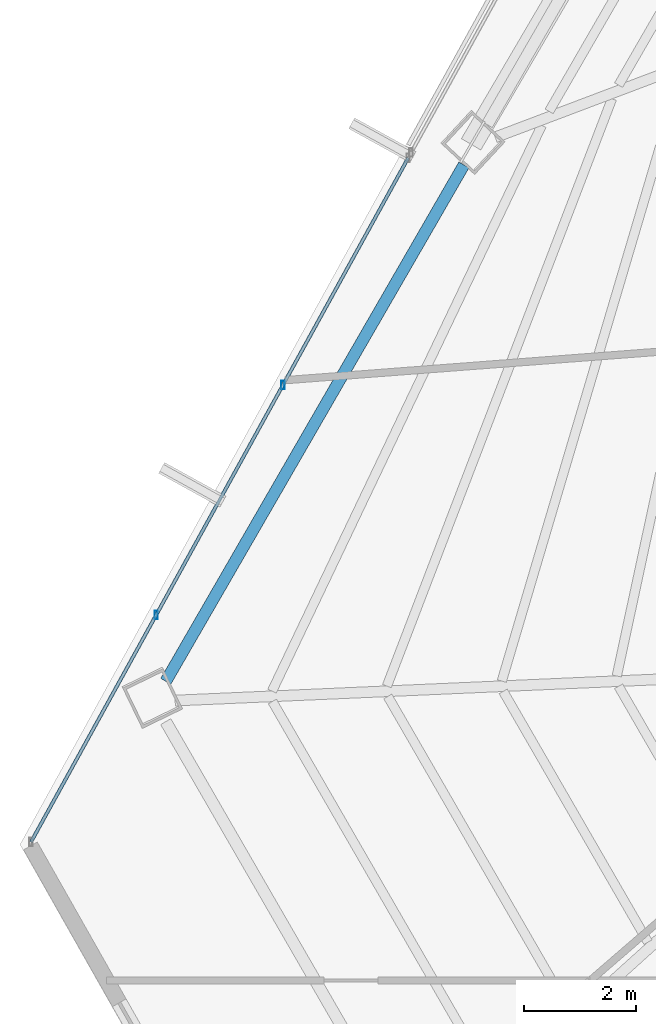
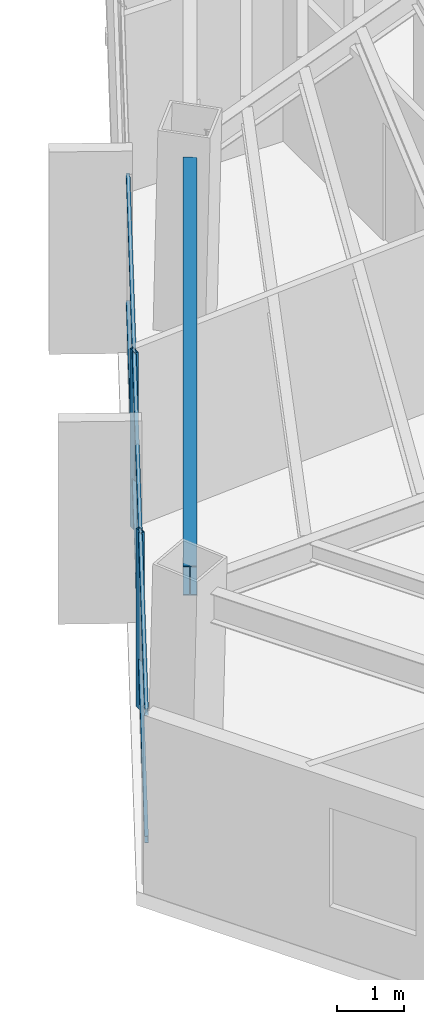
# One storey, part 7 of 40: 4 members, 1 beam, 1 element without a shape of its own.
"""IFC4 building model written with IfcOpenShell, lengths in metres."""

from ifc_helpers import new_model, si_unit, direction, frame, origin, origin_2d, place, context, subcontext, project, spatial, hollow_rectangle, i_section, extrude, source, transform, mapped, material, material_profile, profile_set, type_object, type_shapes, element, aggregate, save


model = new_model("IFC4")

# Units and contexts
model_context = context("Model", 3, precision=1e-05, world=origin(), true_north=direction((0.0, 1.0)))
body_context = subcontext(model_context, "Body", "Model", "MODEL_VIEW")
ifc_project = project(units=[si_unit("LENGTHUNIT", "METRE"), si_unit("AREAUNIT", "SQUARE_METRE"), si_unit("VOLUMEUNIT", "CUBIC_METRE"), si_unit("PLANEANGLEUNIT", "RADIAN"), si_unit("MASSUNIT", "GRAM", prefix="KILO")], contexts=[model_context])

# Site, building, storey
site_placement = place(None, origin())
site = spatial("IfcSite", under=ifc_project, at=site_placement, CompositionType="ELEMENT")
building_placement = place(site_placement, origin())
building = spatial("IfcBuilding", under=site, at=building_placement, Name="Caelisora Broadcast Tower", CompositionType="ELEMENT")
storey_placement = place(building_placement, frame((0.0, 0.0, 216.89990234375)))
storey = spatial("IfcBuildingStorey", under=building, at=storey_placement, Name="L57", CompositionType="ELEMENT", Elevation=216.89990234375)

# Beam
ifc_material_1 = material(Name="Steel Grade 350 (AS/NZS 3679.1)", Category="steel")
ifc_material_profile_1 = material_profile(ifc_material_1, i_section(OverallWidth=0.208984375, OverallDepth=0.532958984375, WebThickness=0.01025390625, FlangeThickness=0.015625, at=origin_2d()), Name="Steel Grade 350 (AS/NZS 3679.1)")
ifc_profile_set_1 = profile_set([ifc_material_profile_1], Name="Steel Grade 350 (AS/NZS 3679.1)")
beam_type = type_object("IfcBeamType", Name="PG05", PredefinedType="BEAM", material=ifc_profile_set_1)
shared_shape_1 = source(origin(), body_context, "Body", "SweptSolid", [
    extrude(i_section(OverallWidth=0.208984375, OverallDepth=0.532958984375, WebThickness=0.01025390625, FlangeThickness=0.015625, at=origin_2d()), origin(), (0.0, 0.0, 1.0), 10.655029296875),
])
type_shapes(beam_type, [shared_shape_1])
beam_placement = place(storey_placement, frame((21.602294921875, 26.3544921875, 2.983642578125), z_axis=(-0.500008063514, -0.866020748262, 0.0), x_axis=(0.866020748262, -0.500008063514, 0.0)))
element("IfcBeam", 1, at=beam_placement, inside=storey, type_object=beam_type, Name="L57 beam PG05", PredefinedType="BEAM", context=body_context, shape_type="MappedRepresentation", body=[
    mapped(shared_shape_1, transform((0.0, 0.0, 0.0), scale=1.0)),
])

# Curtain wall, members
ifc_material_2 = material(Name="Unitised Aluminium and Low-E Glass Curtain Wall", Category="glass")
curtain_wall_type = type_object("IfcCurtainWallType", Name="CW-Z4", PredefinedType="NOTDEFINED", material=ifc_material_2)
curtain_wall_placement = place(storey_placement, origin())
curtain_wall = element("IfcCurtainWall", 2, at=curtain_wall_placement, inside=storey, type_object=curtain_wall_type, Name="L57 curtain wall CW-Z4", PredefinedType="NOTDEFINED")
ifc_material_3 = material(Name="Aluminium 6063-T6 Anodised Terracotta Bronze", Category="aluminium")
ifc_material_profile_2 = material_profile(ifc_material_3, hollow_rectangle(XDim=0.06005859375, YDim=0.14990234375, WallThickness=0.00341796875, at=origin_2d()), Name="Aluminium 6063-T6 Anodised Terracotta Bronze")
ifc_profile_set_2 = profile_set([ifc_material_profile_2], Name="Aluminium 6063-T6 Anodised Terracotta Bronze")
member_type_1 = type_object("IfcMemberType", Name="CWM-03", PredefinedType="MULLION", material=ifc_profile_set_2)
shared_shape_2 = source(origin(), body_context, "Body", "SweptSolid", [
    extrude(hollow_rectangle(XDim=0.06005859375, YDim=0.14990234375, WallThickness=0.00341796875, at=origin_2d()), origin(), (0.0, 0.0, 1.0), 3.25),
])
type_shapes(member_type_1, [shared_shape_2])
member_1_placement = place(storey_placement, frame((16.10498046875, 18.315185546875, 0.0), z_axis=(0.0, 0.0, 1.0), x_axis=(1.0, 0.0, 0.0)))
member_1 = element("IfcMember", 3, at=member_1_placement, type_object=member_type_1, Name="L57-CW-B09 mullion #1", PredefinedType="MULLION", context=body_context, shape_type="MappedRepresentation", body=[
    mapped(shared_shape_2, transform((0.0, 0.0, 0.0), scale=1.0)),
])
member_2_placement = place(storey_placement, frame((18.3681640625, 22.419189453125, 0.0), z_axis=(0.0, 0.0, 1.0), x_axis=(1.0, 0.0, 0.0)))
member_2 = element("IfcMember", 4, at=member_2_placement, type_object=member_type_1, Name="L57-CW-B09 mullion #2", PredefinedType="MULLION", context=body_context, shape_type="MappedRepresentation", body=[
    mapped(shared_shape_2, transform((0.0, 0.0, 0.0), scale=1.0)),
])
ifc_material_profile_3 = material_profile(ifc_material_3, hollow_rectangle(XDim=0.06005859375, YDim=0.1201171875, WallThickness=0.0029296875, at=origin_2d()), Name="Aluminium 6063-T6 Anodised Terracotta Bronze")
ifc_profile_set_3 = profile_set([ifc_material_profile_3], Name="Aluminium 6063-T6 Anodised Terracotta Bronze")
member_type_2 = type_object("IfcMemberType", Name="CWT-03", PredefinedType="USERDEFINED", material=ifc_profile_set_3)
shared_shape_3 = source(origin(), body_context, "Body", "SweptSolid", [
    extrude(hollow_rectangle(XDim=0.06005859375, YDim=0.1201171875, WallThickness=0.0029296875, at=origin_2d()), origin(), (0.0, 0.0, 1.0), 13.9599609375),
])
type_shapes(member_type_2, [shared_shape_3])
member_3_placement = place(storey_placement, frame((13.8662109375, 14.2548828125, 0.85009765625), z_axis=(0.482863733318, 0.875695503612, 0.0), x_axis=(-0.875695503612, 0.482863733318, 0.0)))
member_3 = element("IfcMember", 5, at=member_3_placement, type_object=member_type_2, Name="L57-CW-B09 transom #1", ObjectType="TRANSOM", PredefinedType="USERDEFINED", context=body_context, shape_type="MappedRepresentation", body=[
    mapped(shared_shape_3, transform((0.0, 0.0, 0.0), scale=1.0)),
])
member_4_placement = place(storey_placement, frame((13.8662109375, 14.2548828125, 3.170166015625), z_axis=(0.482863733318, 0.875695503612, 0.0), x_axis=(-0.875695503612, 0.482863733318, 0.0)))
member_4 = element("IfcMember", 6, at=member_4_placement, type_object=member_type_2, Name="L57-CW-B09 transom #2", ObjectType="TRANSOM", PredefinedType="USERDEFINED", context=body_context, shape_type="MappedRepresentation", body=[
    mapped(shared_shape_3, transform((0.0, 0.0, 0.0), scale=1.0)),
])
aggregate(curtain_wall, [member_1, member_2, member_3, member_4])

save(model, "model.ifc")
